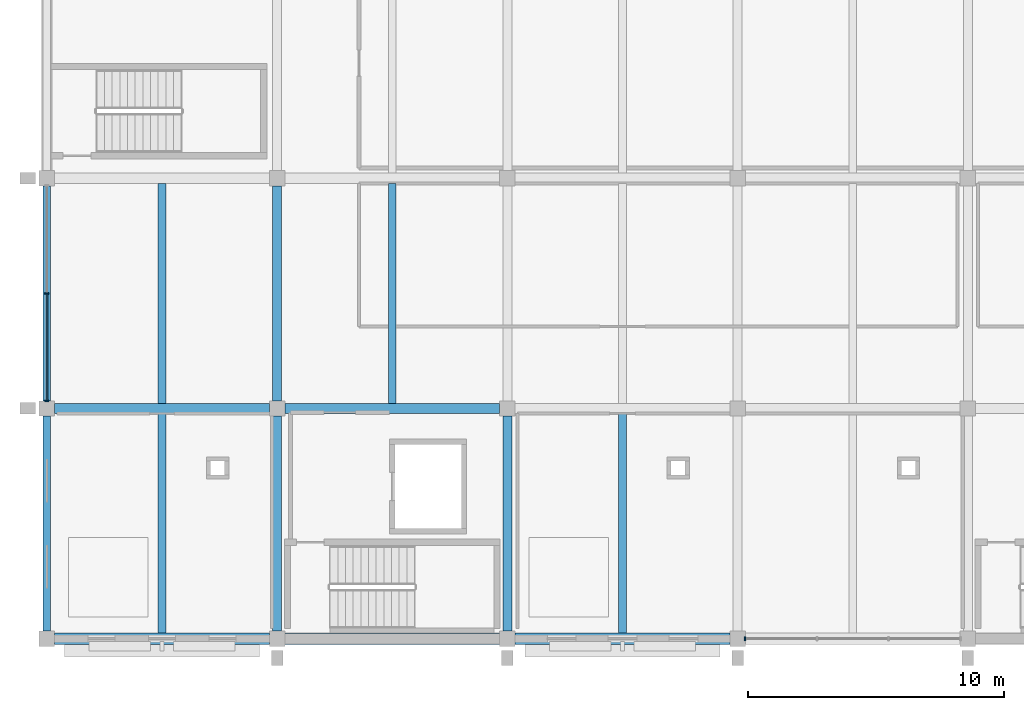
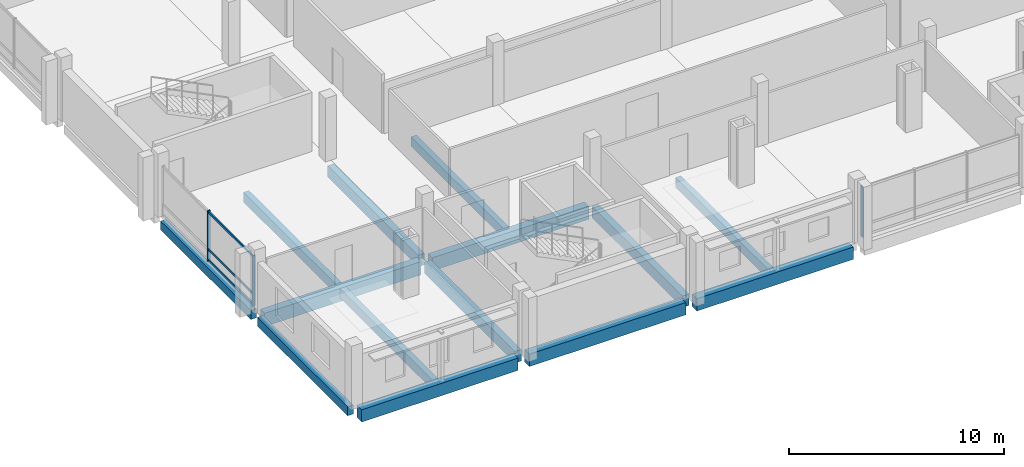
# One storey, part 8 of 163: 14 beams, 6 members, 2 elements without a shape of their own.
"""IFC4 building model written with IfcOpenShell, lengths in metres."""

from ifc_helpers import new_model, si_unit, direction, frame, origin, origin_2d, place, context, subcontext, project, spatial, rectangle, extrude, material, material_profile, profile_set, type_object, element, aggregate, save


model = new_model("IFC4")

# Units and contexts
model_context = context("Model", 3, precision=1e-05, world=origin(), true_north=direction((0.0, 1.0)))
body_context = subcontext(model_context, "Body", "Model", "MODEL_VIEW")
ifc_project = project(units=[si_unit("LENGTHUNIT", "METRE"), si_unit("AREAUNIT", "SQUARE_METRE"), si_unit("VOLUMEUNIT", "CUBIC_METRE"), si_unit("PLANEANGLEUNIT", "RADIAN"), si_unit("MASSUNIT", "GRAM", prefix="KILO")], contexts=[model_context])

# Site, building, storey
site_placement = place(None, origin())
site = spatial("IfcSite", under=ifc_project, at=site_placement, CompositionType="ELEMENT")
building_placement = place(site_placement, origin())
building = spatial("IfcBuilding", under=site, at=building_placement, Name="Tharagai Park Tramway Depot", CompositionType="ELEMENT")
storey_placement = place(building_placement, frame((0.0, 0.0, 8.39990234375)))
storey = spatial("IfcBuildingStorey", under=building, at=storey_placement, Name="L02", CompositionType="ELEMENT", Elevation=8.39990234375)

# Beams
ifc_material_1 = material(Name="Concrete M35", Category="concrete")
ifc_material_profile_1 = material_profile(ifc_material_1, rectangle(XDim=0.35009765625, YDim=0.64990234375, at=origin_2d()), Name="RC 350x650")
ifc_profile_set_1 = profile_set([ifc_material_profile_1], Name="Concrete M35")
beam_type_1 = type_object("IfcBeamType", Name="BM-13", PredefinedType="BEAM", material=ifc_profile_set_1)
for number, where, z_axis, x_axis, name in (
    (1, (9.0, 0.300048828125, -0.574951171875), (0.0, 1.0, 0.0), (-1.0, 0.0, 0.0), "L02 Grid Beam BM-13"),
    (2, (9.0, 9.300048828125, -0.574951171875), (0.0, 1.0, 0.0), (-1.0, 0.0, 0.0), "L02 Grid Beam BM-13"),
    (3, (18.0, 0.300048828125, -0.574951171875), (0.0, 1.0, 0.0), (-1.0, 0.0, 0.0), "L02 Grid Beam BM-13"),
):
    element("IfcBeam", number, at=place(storey_placement, frame(where, z_axis=z_axis, x_axis=x_axis)), inside=storey, type_object=beam_type_1, Name=name, PredefinedType="BEAM", context=body_context, shape_type="SweptSolid", body=[
        extrude(rectangle(XDim=0.35009765625, YDim=0.64990234375, at=origin_2d()), origin(), (0.0, 0.0, 1.0), 8.39990234375),
    ])
ifc_material_profile_2 = material_profile(ifc_material_1, rectangle(XDim=0.39990234375, YDim=0.75, at=origin_2d()), Name="RC 400x750")
ifc_profile_set_2 = profile_set([ifc_material_profile_2], Name="Concrete M35")
beam_type_2 = type_object("IfcBeamType", Name="BM-19", PredefinedType="BEAM", material=ifc_profile_set_2)
for number, where, z_axis, x_axis, name in (
    (4, (0.300048828125, 9.0, -0.625), (1.0, 0.0, 0.0), (0.0, 1.0, 0.0), "L02 Grid Beam BM-19"),
    (5, (9.300048828125, 9.0, -0.625), (1.0, 0.0, 0.0), (0.0, 1.0, 0.0), "L02 Grid Beam BM-19"),
):
    element("IfcBeam", number, at=place(storey_placement, frame(where, z_axis=z_axis, x_axis=x_axis)), inside=storey, type_object=beam_type_2, Name=name, PredefinedType="BEAM", context=body_context, shape_type="SweptSolid", body=[
        extrude(rectangle(XDim=0.39990234375, YDim=0.75, at=origin_2d()), origin(), (0.0, 0.0, 1.0), 8.39990234375),
    ])

# Curtain wall, members
ifc_material_2 = material(Name="Anodised aluminium", Category="aluminium")
curtain_wall_type_1 = type_object("IfcCurtainWallType", Name="CW-07", PredefinedType="NOTDEFINED", material=ifc_material_2)
curtain_wall_1_placement = place(storey_placement, origin())
curtain_wall_1 = element("IfcCurtainWall", 6, at=curtain_wall_1_placement, inside=storey, type_object=curtain_wall_type_1, Name="L02 V4 Side Mullioned Curtain Wall CW-07", PredefinedType="NOTDEFINED")
ifc_material_profile_3 = material_profile(ifc_material_2, rectangle(XDim=0.06494140625, YDim=0.1201171875, at=origin_2d()), Name="ALU 65x120")
ifc_profile_set_3 = profile_set([ifc_material_profile_3], Name="Anodised aluminium")
member_type_1 = type_object("IfcMemberType", Name="CM-01", PredefinedType="USERDEFINED", material=ifc_profile_set_3)
member_1_placement = place(storey_placement, frame((0.0, 9.304931640625, 0.06005859375), z_axis=(0.0, 1.0, 0.0), x_axis=(-1.0, 0.0, 0.0)))
member_1 = element("IfcMember", 7, at=member_1_placement, type_object=member_type_1, Name="L02 V4 Side Mullioned Curtain Wall Transom 1.1", ObjectType="TRANSOM", PredefinedType="USERDEFINED", context=body_context, shape_type="SweptSolid", body=[
    extrude(rectangle(XDim=0.06494140625, YDim=0.1201171875, at=origin_2d()), origin(), (0.0, 0.0, 1.0), 4.18017578125),
])
member_2_placement = place(storey_placement, frame((0.0, 9.304931640625, 0.650146484375), z_axis=(0.0, 1.0, 0.0), x_axis=(-1.0, 0.0, 0.0)))
member_2 = element("IfcMember", 8, at=member_2_placement, type_object=member_type_1, Name="L02 V4 Side Mullioned Curtain Wall Transom 1.2", ObjectType="TRANSOM", PredefinedType="USERDEFINED", context=body_context, shape_type="SweptSolid", body=[
    extrude(rectangle(XDim=0.06494140625, YDim=0.1201171875, at=origin_2d()), origin(), (0.0, 0.0, 1.0), 4.18017578125),
])
member_3_placement = place(storey_placement, frame((0.0, 9.304931640625, 2.77001953125), z_axis=(0.0, 1.0, 0.0), x_axis=(-1.0, 0.0, 0.0)))
member_3 = element("IfcMember", 9, at=member_3_placement, type_object=member_type_1, Name="L02 V4 Side Mullioned Curtain Wall Transom 1.3", ObjectType="TRANSOM", PredefinedType="USERDEFINED", context=body_context, shape_type="SweptSolid", body=[
    extrude(rectangle(XDim=0.06494140625, YDim=0.1201171875, at=origin_2d()), origin(), (0.0, 0.0, 1.0), 4.18017578125),
])

# Curtain wall, member
curtain_wall_type_2 = type_object("IfcCurtainWallType", Name="CW-02", PredefinedType="NOTDEFINED", material=ifc_material_2)
curtain_wall_2_placement = place(storey_placement, origin())
curtain_wall_2 = element("IfcCurtainWall", 10, at=curtain_wall_2_placement, inside=storey, type_object=curtain_wall_type_2, Name="L02 V4 Gothic Mullioned Curtain Wall CW-02", PredefinedType="NOTDEFINED")
ifc_material_profile_4 = material_profile(ifc_material_2, rectangle(XDim=0.06494140625, YDim=0.14990234375, at=origin_2d()), Name="ALU 65x150")
ifc_profile_set_4 = profile_set([ifc_material_profile_4], Name="Anodised aluminium")
member_type_2 = type_object("IfcMemberType", Name="CM-03", PredefinedType="MULLION", material=ifc_profile_set_4)
member_4_placement = place(storey_placement, frame((27.2900390625, 0.0, -0.0048828125), z_axis=(0.0, 0.0, 1.0), x_axis=(1.0, 0.0, 0.0)))
member_4 = element("IfcMember", 11, at=member_4_placement, type_object=member_type_2, Name="L02 V4 Gothic Mullioned Curtain Wall Mullion 1", PredefinedType="MULLION", context=body_context, shape_type="SweptSolid", body=[
    extrude(rectangle(XDim=0.06494140625, YDim=0.14990234375, at=origin_2d()), origin(), (0.0, 0.0, 1.0), 2.8798828125),
])
aggregate(curtain_wall_2, [member_4])

# Member
member_5_placement = place(storey_placement, frame((0.0, 9.2900390625, -0.0048828125), z_axis=(0.0, 0.0, 1.0), x_axis=(0.0, 1.0, 0.0)))
member_5 = element("IfcMember", 12, at=member_5_placement, type_object=member_type_2, Name="L02 V4 Side Mullioned Curtain Wall Mullion 1", PredefinedType="MULLION", context=body_context, shape_type="SweptSolid", body=[
    extrude(rectangle(XDim=0.06494140625, YDim=0.14990234375, at=origin_2d()), origin(), (0.0, 0.0, 1.0), 2.85986328125),
])

member_6_placement = place(storey_placement, frame((0.0, 13.5, -0.0048828125), z_axis=(0.0, 0.0, 1.0), x_axis=(0.0, 1.0, 0.0)))
member_6 = element("IfcMember", 13, at=member_6_placement, type_object=member_type_2, Name="L02 V4 Side Mullioned Curtain Wall Mullion 2", PredefinedType="MULLION", context=body_context, shape_type="SweptSolid", body=[
    extrude(rectangle(XDim=0.06494140625, YDim=0.14990234375, at=origin_2d()), origin(), (0.0, 0.0, 1.0), 2.85986328125),
])

aggregate(curtain_wall_1, [member_5, member_6, member_1, member_2, member_3])

# Beams
ifc_material_profile_5 = material_profile(ifc_material_1, rectangle(XDim=0.300048828125, YDim=0.550048828125, at=origin_2d()), Name="RC 300x550")
ifc_profile_set_5 = profile_set([ifc_material_profile_5], Name="Concrete M35")
beam_type_3 = type_object("IfcBeamType", Name="JT-06", PredefinedType="JOIST", material=ifc_profile_set_5)
beam_1_placement = place(storey_placement, frame((4.5, 0.22509765625, -0.52490234375), z_axis=(0.0, 1.0, 0.0), x_axis=(-1.0, 0.0, 0.0)))
element("IfcBeam", 14, at=beam_1_placement, inside=storey, type_object=beam_type_3, Name="L02 Secondary Joist JT-06", PredefinedType="JOIST", context=body_context, shape_type="SweptSolid", body=[
    extrude(rectangle(XDim=0.300048828125, YDim=0.550048828125, at=origin_2d()), origin(), (0.0, 0.0, 1.0), 8.574951171875),
])
for number, where, z_axis, x_axis, name in (
    (15, (4.5, 9.199951171875, -0.52490234375), (0.0, 1.0, 0.0), (-1.0, 0.0, 0.0), "L02 Secondary Joist JT-06"),
    (16, (13.5, 9.199951171875, -0.52490234375), (0.0, 1.0, 0.0), (-1.0, 0.0, 0.0), "L02 Secondary Joist JT-06"),
):
    element("IfcBeam", number, at=place(storey_placement, frame(where, z_axis=z_axis, x_axis=x_axis)), inside=storey, type_object=beam_type_3, Name=name, PredefinedType="JOIST", context=body_context, shape_type="SweptSolid", body=[
        extrude(rectangle(XDim=0.300048828125, YDim=0.550048828125, at=origin_2d()), origin(), (0.0, 0.0, 1.0), 8.60009765625),
    ])
beam_2_placement = place(storey_placement, frame((22.5, 0.22509765625, -0.52490234375), z_axis=(0.0, 1.0, 0.0), x_axis=(-1.0, 0.0, 0.0)))
element("IfcBeam", 17, at=beam_2_placement, inside=storey, type_object=beam_type_3, Name="L02 Secondary Joist JT-06", PredefinedType="JOIST", context=body_context, shape_type="SweptSolid", body=[
    extrude(rectangle(XDim=0.300048828125, YDim=0.550048828125, at=origin_2d()), origin(), (0.0, 0.0, 1.0), 8.574951171875),
])
ifc_material_profile_6 = material_profile(ifc_material_1, rectangle(XDim=0.449951171875, YDim=0.699951171875, at=origin_2d()), Name="RC 450x700")
ifc_profile_set_6 = profile_set([ifc_material_profile_6], Name="Concrete M35")
beam_type_4 = type_object("IfcBeamType", Name="SP-01", PredefinedType="SPANDREL", material=ifc_profile_set_6)
for number, where, z_axis, x_axis, name in (
    (18, (0.300048828125, 0.0, -0.599853515625), (1.0, 0.0, 0.0), (0.0, 1.0, 0.0), "L02 Grid Beam SP-01"),
    (19, (9.300048828125, 0.0, -0.599853515625), (1.0, 0.0, 0.0), (0.0, 1.0, 0.0), "L02 Grid Beam SP-01"),
    (20, (18.300048828125, 0.0, -0.599853515625), (1.0, 0.0, 0.0), (0.0, 1.0, 0.0), "L02 Grid Beam SP-01"),
):
    element("IfcBeam", number, at=place(storey_placement, frame(where, z_axis=z_axis, x_axis=x_axis)), inside=storey, type_object=beam_type_4, Name=name, PredefinedType="SPANDREL", context=body_context, shape_type="SweptSolid", body=[
        extrude(rectangle(XDim=0.449951171875, YDim=0.699951171875, at=origin_2d()), origin(), (0.0, 0.0, 1.0), 8.39990234375),
    ])
ifc_material_profile_7 = material_profile(ifc_material_1, rectangle(XDim=0.300048828125, YDim=0.5, at=origin_2d()), Name="RC 300x500")
ifc_profile_set_7 = profile_set([ifc_material_profile_7], Name="Concrete M35")
beam_type_5 = type_object("IfcBeamType", Name="SP-03", PredefinedType="SPANDREL", material=ifc_profile_set_7)
for number, where, z_axis, x_axis, name in (
    (21, (0.0, 0.300048828125, -0.5), (0.0, 1.0, 0.0), (-1.0, 0.0, 0.0), "L02 Grid Beam SP-03"),
    (22, (0.0, 9.300048828125, -0.5), (0.0, 1.0, 0.0), (-1.0, 0.0, 0.0), "L02 Grid Beam SP-03"),
):
    element("IfcBeam", number, at=place(storey_placement, frame(where, z_axis=z_axis, x_axis=x_axis)), inside=storey, type_object=beam_type_5, Name=name, PredefinedType="SPANDREL", context=body_context, shape_type="SweptSolid", body=[
        extrude(rectangle(XDim=0.300048828125, YDim=0.5, at=origin_2d()), origin(), (0.0, 0.0, 1.0), 8.39990234375),
    ])

save(model, "model.ifc")
